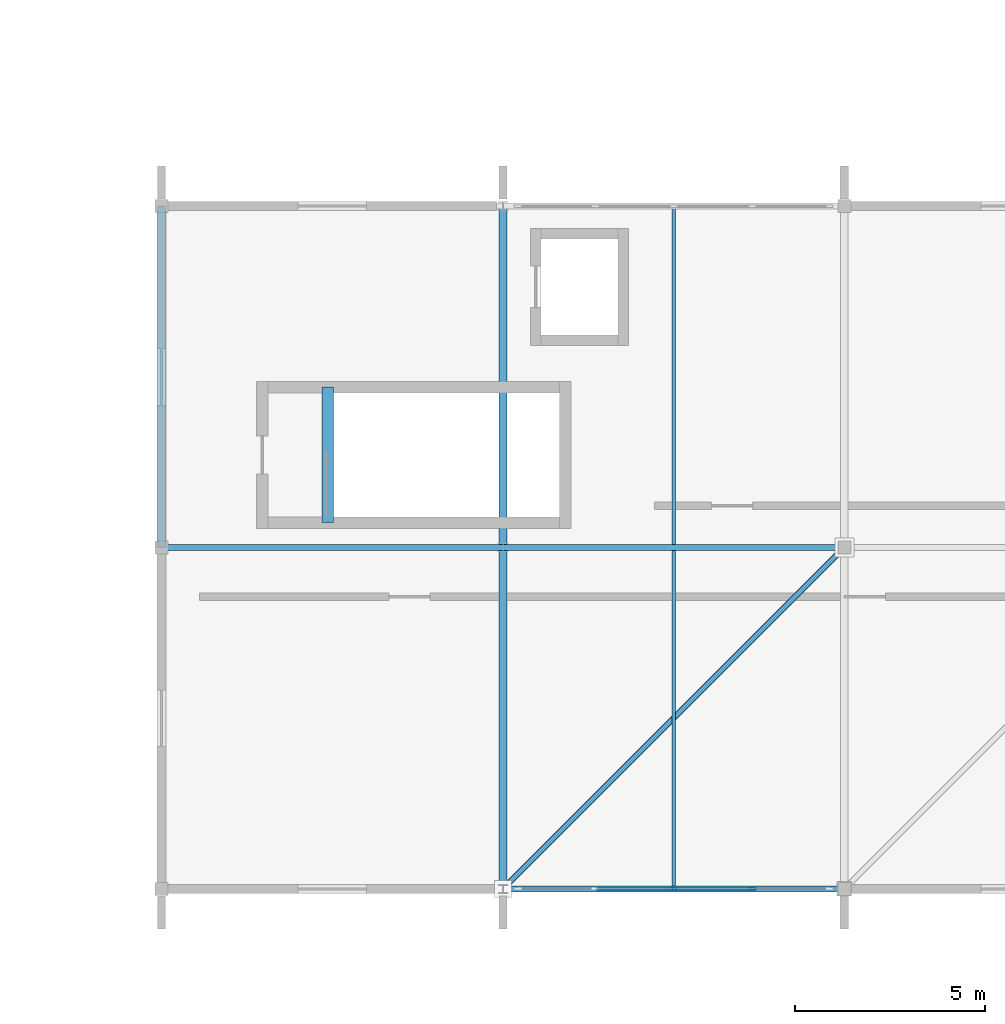
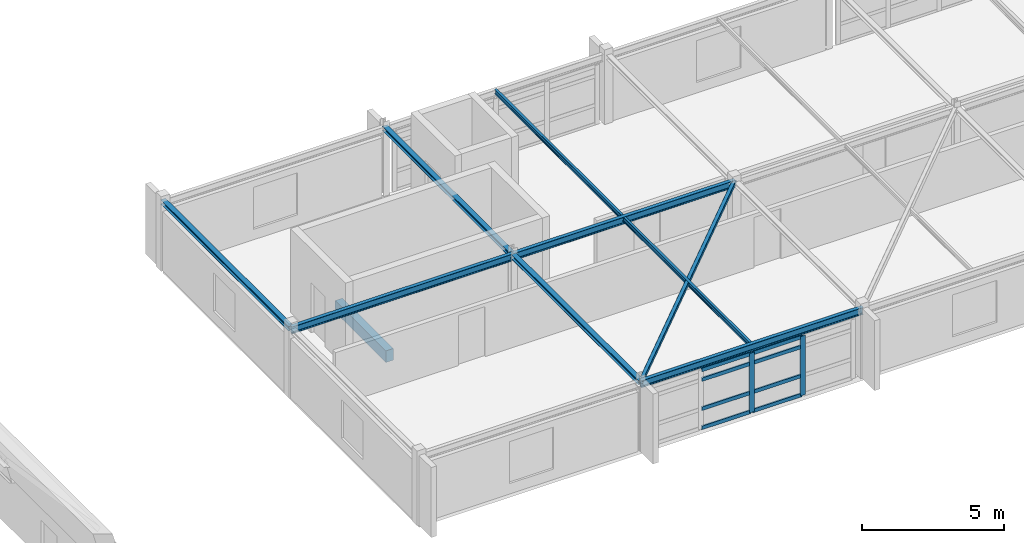
# One storey, part 17 of 83: 11 members, 8 beams, 1 element without a shape of its own.
"""IFC4 building model written with IfcOpenShell, lengths in metres."""

from ifc_helpers import new_model, si_unit, direction, frame, origin, origin_2d, place, context, subcontext, project, spatial, rectangle, hollow_rectangle, i_section, extrude, material, material_profile, profile_set, type_object, element, aggregate, save


model = new_model("IFC4")

# Units and contexts
model_context = context("Model", 3, precision=1e-05, world=origin(), true_north=direction((0.0, 1.0)))
body_context = subcontext(model_context, "Body", "Model", "MODEL_VIEW")
ifc_project = project(units=[si_unit("LENGTHUNIT", "METRE"), si_unit("AREAUNIT", "SQUARE_METRE"), si_unit("VOLUMEUNIT", "CUBIC_METRE"), si_unit("PLANEANGLEUNIT", "RADIAN"), si_unit("MASSUNIT", "GRAM", prefix="KILO")], contexts=[model_context])

# Site, building, storey
site_placement = place(None, origin())
site = spatial("IfcSite", under=ifc_project, at=site_placement, CompositionType="ELEMENT")
building_placement = place(site_placement, origin())
building = spatial("IfcBuilding", under=site, at=building_placement, Name="Zimvara Arc Housing Community", CompositionType="ELEMENT")
storey_placement = place(building_placement, frame((0.0, 0.0, 4.5)))
storey = spatial("IfcBuildingStorey", under=building, at=storey_placement, Name="L01", CompositionType="ELEMENT", Elevation=4.5)

# Beams
ifc_material_1 = material(Name="Concrete C40/50", Category="concrete")
ifc_material_profile_1 = material_profile(ifc_material_1, rectangle(XDim=0.300048828125, YDim=0.5, at=origin_2d()), Name="RC 300x500")
ifc_profile_set_1 = profile_set([ifc_material_profile_1], Name="Concrete C40/50")
beam_type_1 = type_object("IfcBeamType", Name="BM-RC-300x500", PredefinedType="BEAM", material=ifc_profile_set_1)
beam_1_placement = place(storey_placement, frame((116.3798828125, 13.2548828125, -0.25), z_axis=(0.0, 1.0, 0.0), x_axis=(-1.0, 0.0, 0.0)))
element("IfcBeam", 1, at=beam_1_placement, inside=storey, type_object=beam_type_1, Name="bm:stair_trim:ST-N1:L01:near", PredefinedType="BEAM", context=body_context, shape_type="SweptSolid", body=[
    extrude(rectangle(XDim=0.300048828125, YDim=0.5, at=origin_2d()), origin(), (0.0, 0.0, 1.0), 3.570068359375),
])
ifc_material_2 = material(Name="Steel S355", Category="steel")
ifc_material_profile_2 = material_profile(ifc_material_2, i_section(OverallWidth=0.199951171875, OverallDepth=0.18994140625, WebThickness=0.006591796875, FlangeThickness=0.010009765625, FilletRadius=0.01806640625, at=origin_2d()), Name="HEA 200")
ifc_profile_set_2 = profile_set([ifc_material_profile_2], Name="Steel S355")
beam_type_2 = type_object("IfcBeamType", Name="BM-ST-HEA200", PredefinedType="BEAM", material=ifc_profile_set_2)
for number, where, z_axis, x_axis, name in (
    (2, (112.0, 12.60009765625, 2.85498046875), (0.0, 1.0, 0.0), (-1.0, 0.0, 0.0), "bm:nursery:L01:y:x0:b1"),
    (3, (121.0, 3.60009765625, 2.85498046875), (0.0, 1.0, 0.0), (-1.0, 0.0, 0.0), "bm:nursery:L01:y:x1:b0"),
    (4, (121.0, 12.60009765625, 2.85498046875), (0.0, 1.0, 0.0), (-1.0, 0.0, 0.0), "bm:nursery:L01:y:x1:b1"),
):
    element("IfcBeam", number, at=place(storey_placement, frame(where, z_axis=z_axis, x_axis=x_axis)), inside=storey, type_object=beam_type_2, Name=name, PredefinedType="BEAM", context=body_context, shape_type="SweptSolid", body=[
        extrude(i_section(OverallWidth=0.199951171875, OverallDepth=0.18994140625, WebThickness=0.006591796875, FlangeThickness=0.010009765625, FilletRadius=0.01806640625, at=origin_2d()), origin(), (0.0, 0.0, 1.0), 9.0),
    ])
ifc_material_3 = material(Name="Steel S355", Category="steel")
ifc_material_profile_3 = material_profile(ifc_material_3, i_section(OverallWidth=0.10009765625, OverallDepth=0.199951171875, WebThickness=0.005615234375, FlangeThickness=0.008544921875, FilletRadius=0.011962890625, at=origin_2d()), Name="IPE 200")
ifc_profile_set_3 = profile_set([ifc_material_profile_3], Name="Steel S355")
beam_type_3 = type_object("IfcBeamType", Name="BM-ST-IPE200", PredefinedType="JOIST", material=ifc_profile_set_3)
beam_2_placement = place(storey_placement, frame((125.5, 3.60009765625, 2.85009765625), z_axis=(0.0, 1.0, 0.0), x_axis=(-1.0, 0.0, 0.0)))
element("IfcBeam", 5, at=beam_2_placement, inside=storey, type_object=beam_type_3, Name="bm:nursery:L01:joist:b1", PredefinedType="JOIST", context=body_context, shape_type="SweptSolid", body=[
    extrude(i_section(OverallWidth=0.10009765625, OverallDepth=0.199951171875, WebThickness=0.005615234375, FlangeThickness=0.008544921875, FilletRadius=0.011962890625, at=origin_2d()), origin(), (0.0, 0.0, 1.0), 18.0),
])
ifc_material_4 = material(Name="Steel S355", Category="steel")
ifc_material_profile_4 = material_profile(ifc_material_4, i_section(OverallWidth=0.14990234375, OverallDepth=0.300048828125, WebThickness=0.007080078125, FlangeThickness=0.0107421875, FilletRadius=0.014892578125, at=origin_2d()), Name="IPE 300")
ifc_profile_set_4 = profile_set([ifc_material_profile_4], Name="Steel S355")
beam_type_4 = type_object("IfcBeamType", Name="BM-ST-IPE300", PredefinedType="BEAM", material=ifc_profile_set_4)
for number, where, z_axis, x_axis, name in (
    (6, (121.0, 3.60009765625, 2.800048828125), (1.0, 0.0, 0.0), (0.0, 1.0, 0.0), "bm:nursery:L01:x:y0:b1"),
    (7, (112.0, 12.60009765625, 2.800048828125), (1.0, 0.0, 0.0), (0.0, 1.0, 0.0), "bm:nursery:L01:x:y1:b0"),
    (8, (121.0, 12.60009765625, 2.800048828125), (1.0, 0.0, 0.0), (0.0, 1.0, 0.0), "bm:nursery:L01:x:y1:b1"),
):
    element("IfcBeam", number, at=place(storey_placement, frame(where, z_axis=z_axis, x_axis=x_axis)), inside=storey, type_object=beam_type_4, Name=name, PredefinedType="BEAM", context=body_context, shape_type="SweptSolid", body=[
        extrude(i_section(OverallWidth=0.14990234375, OverallDepth=0.300048828125, WebThickness=0.007080078125, FlangeThickness=0.0107421875, FilletRadius=0.014892578125, at=origin_2d()), origin(), (0.0, 0.0, 1.0), 9.0),
    ])

# Curtain wall, members
ifc_material_5 = material(Name="Anodised Aluminium AW-6063", Category="aluminium")
curtain_wall_type = type_object("IfcCurtainWallType", Name="CW-SYS-01", PredefinedType="USERDEFINED", material=ifc_material_5)
curtain_wall_placement = place(storey_placement, origin())
curtain_wall = element("IfcCurtainWall", 9, at=curtain_wall_placement, inside=storey, type_object=curtain_wall_type, Name="cw:nursery:L01:south:b1", ObjectType="CURTAIN WALL", PredefinedType="USERDEFINED")
ifc_material_6 = material(Name="Anodised Aluminium AW-6063", Category="aluminium")
ifc_material_profile_5 = material_profile(ifc_material_6, rectangle(XDim=0.06494140625, YDim=0.195068359375, at=origin_2d()), Name="ALU 65x195")
ifc_profile_set_5 = profile_set([ifc_material_profile_5], Name="Anodised Aluminium AW-6063")
member_type_1 = type_object("IfcMemberType", Name="CWM-65x180", PredefinedType="MULLION", material=ifc_profile_set_5)
member_1_placement = place(storey_placement, frame((125.5, 3.60009765625, 0.0), z_axis=(0.0, 0.0, 1.0), x_axis=(0.0, 1.0, 0.0)))
member_1 = element("IfcMember", 10, at=member_1_placement, type_object=member_type_1, Name="CW01 mullion 3", PredefinedType="MULLION", context=body_context, shape_type="SweptSolid", body=[
    extrude(rectangle(XDim=0.06494140625, YDim=0.195068359375, at=origin_2d()), origin(), (0.0, 0.0, 1.0), 2.550048828125),
])
member_2_placement = place(storey_placement, frame((127.570068359375, 3.60009765625, 0.0), z_axis=(0.0, 0.0, 1.0), x_axis=(0.0, 1.0, 0.0)))
member_2 = element("IfcMember", 11, at=member_2_placement, type_object=member_type_1, Name="CW01 mullion 4", PredefinedType="MULLION", context=body_context, shape_type="SweptSolid", body=[
    extrude(rectangle(XDim=0.06494140625, YDim=0.195068359375, at=origin_2d()), origin(), (0.0, 0.0, 1.0), 2.550048828125),
])
ifc_material_7 = material(Name="Anodised Aluminium AW-6063", Category="aluminium")
ifc_material_profile_6 = material_profile(ifc_material_7, rectangle(XDim=0.06494140625, YDim=0.155029296875, at=origin_2d()), Name="ALU 65x155")
ifc_profile_set_6 = profile_set([ifc_material_profile_6], Name="Anodised Aluminium AW-6063")
member_type_2 = type_object("IfcMemberType", Name="CWT-65x140", PredefinedType="USERDEFINED", material=ifc_profile_set_6)
member_3_placement = place(storey_placement, frame((123.46240234375, 3.60009765625, 0.032470703125), z_axis=(1.0, 0.0, 0.0), x_axis=(0.0, 1.0, 0.0)))
member_3 = element("IfcMember", 12, at=member_3_placement, type_object=member_type_2, Name="CW01 transom 2.1", ObjectType="TRANSOM", PredefinedType="USERDEFINED", context=body_context, shape_type="SweptSolid", body=[
    extrude(rectangle(XDim=0.06494140625, YDim=0.155029296875, at=origin_2d()), origin(), (0.0, 0.0, 1.0), 2.005126953125),
])
member_4_placement = place(storey_placement, frame((123.46240234375, 3.60009765625, 0.85009765625), z_axis=(1.0, 0.0, 0.0), x_axis=(0.0, 1.0, 0.0)))
member_4 = element("IfcMember", 13, at=member_4_placement, type_object=member_type_2, Name="CW01 transom 2.2", ObjectType="TRANSOM", PredefinedType="USERDEFINED", context=body_context, shape_type="SweptSolid", body=[
    extrude(rectangle(XDim=0.06494140625, YDim=0.155029296875, at=origin_2d()), origin(), (0.0, 0.0, 1.0), 2.005126953125),
])
member_5_placement = place(storey_placement, frame((123.46240234375, 3.60009765625, 2.10009765625), z_axis=(1.0, 0.0, 0.0), x_axis=(0.0, 1.0, 0.0)))
member_5 = element("IfcMember", 14, at=member_5_placement, type_object=member_type_2, Name="CW01 transom 2.3", ObjectType="TRANSOM", PredefinedType="USERDEFINED", context=body_context, shape_type="SweptSolid", body=[
    extrude(rectangle(XDim=0.06494140625, YDim=0.155029296875, at=origin_2d()), origin(), (0.0, 0.0, 1.0), 2.005126953125),
])
member_6_placement = place(storey_placement, frame((123.46240234375, 3.60009765625, 2.517578125), z_axis=(1.0, 0.0, 0.0), x_axis=(0.0, 1.0, 0.0)))
member_6 = element("IfcMember", 15, at=member_6_placement, type_object=member_type_2, Name="CW01 transom 2.4", ObjectType="TRANSOM", PredefinedType="USERDEFINED", context=body_context, shape_type="SweptSolid", body=[
    extrude(rectangle(XDim=0.06494140625, YDim=0.155029296875, at=origin_2d()), origin(), (0.0, 0.0, 1.0), 2.005126953125),
])
member_7_placement = place(storey_placement, frame((125.532470703125, 3.60009765625, 0.032470703125), z_axis=(1.0, 0.0, 0.0), x_axis=(0.0, 1.0, 0.0)))
member_7 = element("IfcMember", 16, at=member_7_placement, type_object=member_type_2, Name="CW01 transom 3.1", ObjectType="TRANSOM", PredefinedType="USERDEFINED", context=body_context, shape_type="SweptSolid", body=[
    extrude(rectangle(XDim=0.06494140625, YDim=0.155029296875, at=origin_2d()), origin(), (0.0, 0.0, 1.0), 2.005126953125),
])
member_8_placement = place(storey_placement, frame((125.532470703125, 3.60009765625, 0.85009765625), z_axis=(1.0, 0.0, 0.0), x_axis=(0.0, 1.0, 0.0)))
member_8 = element("IfcMember", 17, at=member_8_placement, type_object=member_type_2, Name="CW01 transom 3.2", ObjectType="TRANSOM", PredefinedType="USERDEFINED", context=body_context, shape_type="SweptSolid", body=[
    extrude(rectangle(XDim=0.06494140625, YDim=0.155029296875, at=origin_2d()), origin(), (0.0, 0.0, 1.0), 2.005126953125),
])
member_9_placement = place(storey_placement, frame((125.532470703125, 3.60009765625, 2.10009765625), z_axis=(1.0, 0.0, 0.0), x_axis=(0.0, 1.0, 0.0)))
member_9 = element("IfcMember", 18, at=member_9_placement, type_object=member_type_2, Name="CW01 transom 3.3", ObjectType="TRANSOM", PredefinedType="USERDEFINED", context=body_context, shape_type="SweptSolid", body=[
    extrude(rectangle(XDim=0.06494140625, YDim=0.155029296875, at=origin_2d()), origin(), (0.0, 0.0, 1.0), 2.005126953125),
])
member_10_placement = place(storey_placement, frame((125.532470703125, 3.60009765625, 2.517578125), z_axis=(1.0, 0.0, 0.0), x_axis=(0.0, 1.0, 0.0)))
member_10 = element("IfcMember", 19, at=member_10_placement, type_object=member_type_2, Name="CW01 transom 3.4", ObjectType="TRANSOM", PredefinedType="USERDEFINED", context=body_context, shape_type="SweptSolid", body=[
    extrude(rectangle(XDim=0.06494140625, YDim=0.155029296875, at=origin_2d()), origin(), (0.0, 0.0, 1.0), 2.005126953125),
])
aggregate(curtain_wall, [member_1, member_2, member_3, member_4, member_5, member_6, member_7, member_8, member_9, member_10])

# Member
ifc_material_8 = material(Name="Steel S355", Category="steel")
ifc_material_profile_7 = material_profile(ifc_material_8, hollow_rectangle(XDim=0.14990234375, YDim=0.14990234375, WallThickness=0.008056640625, InnerFilletRadius=0.008056640625, OuterFilletRadius=0.01611328125, at=origin_2d()), Name="SHS 150x150x8.0")
ifc_profile_set_7 = profile_set([ifc_material_profile_7], Name="Steel S355")
member_type_3 = type_object("IfcMemberType", Name="MB-BRACE-SHS150", PredefinedType="BRACE", material=ifc_profile_set_7)
member_11_placement = place(storey_placement, frame((121.0, 3.60009765625, 2.85009765625), z_axis=(0.707106781187, 0.707106781187, 0.0), x_axis=(-0.707106781187, 0.707106781187, 0.0)))
element("IfcMember", 20, at=member_11_placement, inside=storey, type_object=member_type_3, Name="mb:nursery:L01:brace:b1", PredefinedType="BRACE", context=body_context, shape_type="SweptSolid", body=[
    extrude(hollow_rectangle(XDim=0.14990234375, YDim=0.14990234375, WallThickness=0.008056640625, InnerFilletRadius=0.008056640625, OuterFilletRadius=0.01611328125, at=origin_2d()), origin(), (0.0, 0.0, 1.0), 12.72802734375),
])

save(model, "model.ifc")
